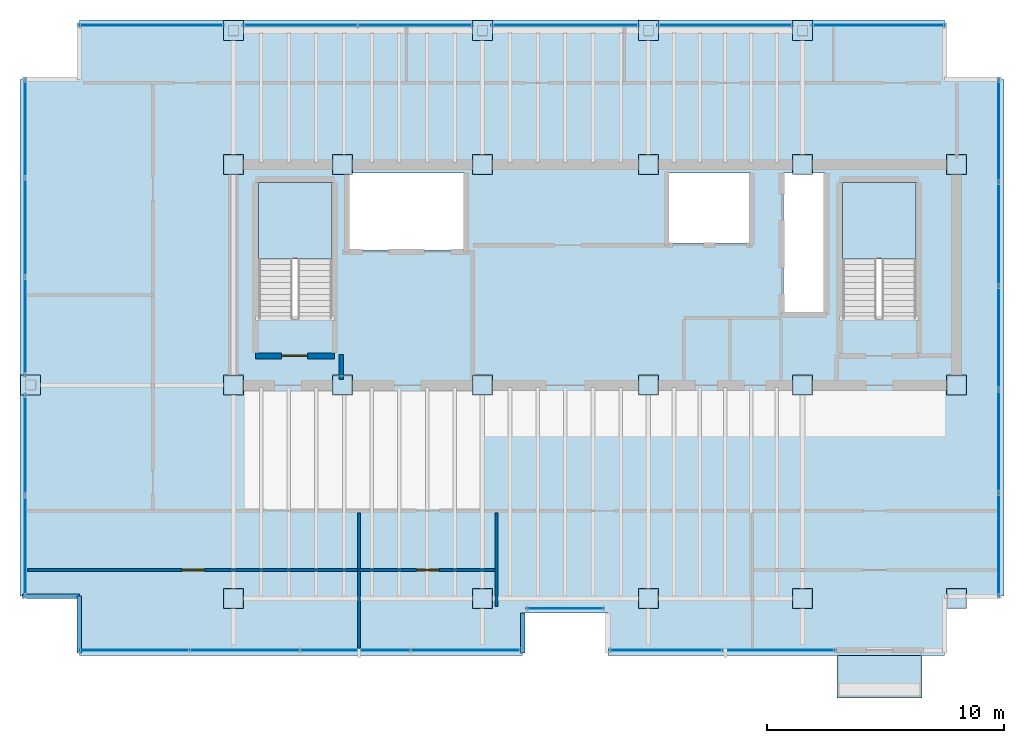
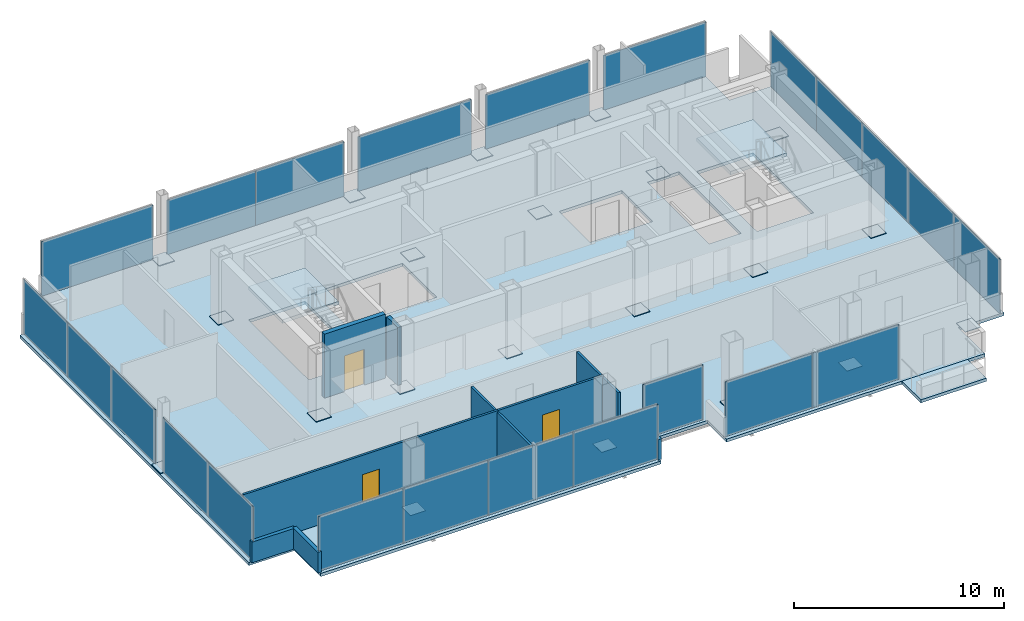
# One storey, part 14 of 17: 45 plates, 9 walls, 4 slabs, 3 doors, 8 openings, 13 elements without a shape of their own.
"""IFC4 building model written with IfcOpenShell, lengths in metres."""

from ifc_helpers import new_model, si_unit, direction, frame, frame_2d, origin, origin_2d, place, context, subcontext, project, spatial, polyline, rectangle, outline, extrude, material, layer, layer_set, type_object, element, fill, aggregate, save


model = new_model("IFC4")

# Units and contexts
model_context = context("Model", 3, precision=1e-05, world=origin(), true_north=direction((0.0, 1.0)))
body_context = subcontext(model_context, "Body", "Model", "MODEL_VIEW")
ifc_project = project(units=[si_unit("LENGTHUNIT", "METRE"), si_unit("AREAUNIT", "SQUARE_METRE"), si_unit("VOLUMEUNIT", "CUBIC_METRE"), si_unit("PLANEANGLEUNIT", "RADIAN"), si_unit("MASSUNIT", "GRAM", prefix="KILO")], contexts=[model_context])

# Site, building, storey
site_placement = place(None, origin())
site = spatial("IfcSite", under=ifc_project, at=site_placement, CompositionType="ELEMENT")
building_placement = place(site_placement, origin())
building = spatial("IfcBuilding", under=site, at=building_placement, Name="Noeulbin Bourse Tower", CompositionType="ELEMENT")
storey_placement = place(building_placement, frame((0.0, 0.0, 261.800048828125)))
storey = spatial("IfcBuildingStorey", under=building, at=storey_placement, Name="L65", CompositionType="ELEMENT", Elevation=261.800048828125)

# Curtain wall, plate
ifc_material_1 = material(Name="High-Selectivity Low-Iron Glazing", Category="glass")
curtain_wall_type = type_object("IfcCurtainWallType", Name="CW-SYS-4", PredefinedType="NOTDEFINED", material=ifc_material_1)
curtain_wall_1_placement = place(storey_placement, origin())
curtain_wall_1 = element("IfcCurtainWall", 1, at=curtain_wall_1_placement, inside=storey, type_object=curtain_wall_type, Name="Unitised Curtain Wall CW-L65-SREC", PredefinedType="NOTDEFINED")
ifc_layer_1 = layer(ifc_material_1, 0.035888671875)
ifc_layer_set_1 = layer_set([ifc_layer_1], Name="High-Selectivity Low-Iron Glazing")
plate_type_1 = type_object("IfcPlateType", Name="CW-SYS-4-PNL", PredefinedType="CURTAIN_PANEL", material=ifc_layer_set_1)
plate_1_placement = place(storey_placement, frame((27.5, 19.580078125, 0.0), z_axis=(0.0, 0.0, 1.0), x_axis=(1.0, 0.0, 0.0)))
plate_1 = element("IfcPlate", 2, at=plate_1_placement, type_object=plate_type_1, Name="Glazed Curtain Panel CW-L65-SREC-P00", PredefinedType="CURTAIN_PANEL", context=body_context, shape_type="SweptSolid", body=[
    extrude(rectangle(XDim=3.300048828125, YDim=0.035888671875, at=origin_2d()), origin(), (0.0, 0.0, 1.0), 3.179931640625),
])
aggregate(curtain_wall_1, [plate_1])

# Curtain wall, plates
curtain_wall_2_placement = place(storey_placement, origin())
curtain_wall_2 = element("IfcCurtainWall", 3, at=curtain_wall_2_placement, inside=storey, type_object=curtain_wall_type, Name="Unitised Curtain Wall CW-L65-S1", PredefinedType="NOTDEFINED")
plate_2_placement = place(storey_placement, frame((9.313720703125, 17.820068359375, 0.0), z_axis=(0.0, 0.0, 1.0), x_axis=(1.0, 0.0, 0.0)))
plate_2 = element("IfcPlate", 4, at=plate_2_placement, type_object=plate_type_1, Name="Glazed Curtain Panel CW-L65-S1-P00", PredefinedType="CURTAIN_PANEL", context=body_context, shape_type="SweptSolid", body=[
    extrude(rectangle(XDim=4.66748046875, YDim=0.035888671875, at=origin_2d()), origin(), (0.0, 0.0, 1.0), 3.179931640625),
])
plate_3_placement = place(storey_placement, frame((13.981201171875, 17.820068359375, 0.0), z_axis=(0.0, 0.0, 1.0), x_axis=(1.0, 0.0, 0.0)))
plate_3 = element("IfcPlate", 5, at=plate_3_placement, type_object=plate_type_1, Name="Glazed Curtain Panel CW-L65-S1-P01", PredefinedType="CURTAIN_PANEL", context=body_context, shape_type="SweptSolid", body=[
    extrude(rectangle(XDim=4.66748046875, YDim=0.035888671875, at=origin_2d()), origin(), (0.0, 0.0, 1.0), 3.179931640625),
])
plate_4_placement = place(storey_placement, frame((18.648681640625, 17.820068359375, 0.0), z_axis=(0.0, 0.0, 1.0), x_axis=(1.0, 0.0, 0.0)))
plate_4 = element("IfcPlate", 6, at=plate_4_placement, type_object=plate_type_1, Name="Glazed Curtain Panel CW-L65-S1-P02", PredefinedType="CURTAIN_PANEL", context=body_context, shape_type="SweptSolid", body=[
    extrude(rectangle(XDim=4.66748046875, YDim=0.035888671875, at=origin_2d()), origin(), (0.0, 0.0, 1.0), 3.179931640625),
])
plate_5_placement = place(storey_placement, frame((23.31640625, 17.820068359375, 0.0), z_axis=(0.0, 0.0, 1.0), x_axis=(1.0, 0.0, 0.0)))
plate_5 = element("IfcPlate", 7, at=plate_5_placement, type_object=plate_type_1, Name="Glazed Curtain Panel CW-L65-S1-P03", PredefinedType="CURTAIN_PANEL", context=body_context, shape_type="SweptSolid", body=[
    extrude(rectangle(XDim=4.66748046875, YDim=0.035888671875, at=origin_2d()), origin(), (0.0, 0.0, 1.0), 3.179931640625),
])
aggregate(curtain_wall_2, [plate_2, plate_3, plate_4, plate_5])

curtain_wall_3_placement = place(storey_placement, origin())
curtain_wall_3 = element("IfcCurtainWall", 8, at=curtain_wall_3_placement, inside=storey, type_object=curtain_wall_type, Name="Unitised Curtain Wall CW-L65-S2", PredefinedType="NOTDEFINED")
plate_6_placement = place(storey_placement, frame((31.737548828125, 17.820068359375, 0.0), z_axis=(0.0, 0.0, 1.0), x_axis=(1.0, 0.0, 0.0)))
plate_6 = element("IfcPlate", 9, at=plate_6_placement, type_object=plate_type_1, Name="Glazed Curtain Panel CW-L65-S2-P00", PredefinedType="CURTAIN_PANEL", context=body_context, shape_type="SweptSolid", body=[
    extrude(rectangle(XDim=4.77490234375, YDim=0.035888671875, at=origin_2d()), origin(), (0.0, 0.0, 1.0), 3.179931640625),
])
plate_7_placement = place(storey_placement, frame((36.512451171875, 17.820068359375, 0.0), z_axis=(0.0, 0.0, 1.0), x_axis=(1.0, 0.0, 0.0)))
plate_7 = element("IfcPlate", 10, at=plate_7_placement, type_object=plate_type_1, Name="Glazed Curtain Panel CW-L65-S2-P01", PredefinedType="CURTAIN_PANEL", context=body_context, shape_type="SweptSolid", body=[
    extrude(rectangle(XDim=4.77490234375, YDim=0.035888671875, at=origin_2d()), origin(), (0.0, 0.0, 1.0), 3.179931640625),
])
aggregate(curtain_wall_3, [plate_6, plate_7])

# Curtain wall, plate
curtain_wall_4_placement = place(storey_placement, origin())
curtain_wall_4 = element("IfcCurtainWall", 11, at=curtain_wall_4_placement, inside=storey, type_object=curtain_wall_type, Name="Unitised Curtain Wall CW-L65-N-S1", PredefinedType="NOTDEFINED")
plate_8_placement = place(storey_placement, frame((10.047607421875, 44.179931640625, 0.0), z_axis=(0.0, 0.0, 1.0), x_axis=(1.0, 0.0, 0.0)))
plate_8 = element("IfcPlate", 12, at=plate_8_placement, type_object=plate_type_1, Name="Glazed Curtain Panel CW-L65-N-S1-P00", PredefinedType="CURTAIN_PANEL", context=body_context, shape_type="SweptSolid", body=[
    extrude(rectangle(XDim=6.135009765625, YDim=0.035888671875, at=origin_2d()), origin(), (0.0, 0.0, 1.0), 3.179931640625),
])
aggregate(curtain_wall_4, [plate_8])

# Curtain wall, plates
curtain_wall_5_placement = place(storey_placement, origin())
curtain_wall_5 = element("IfcCurtainWall", 13, at=curtain_wall_5_placement, inside=storey, type_object=curtain_wall_type, Name="Unitised Curtain Wall CW-L65-N-S2", PredefinedType="NOTDEFINED")
plate_9_placement = place(storey_placement, frame((16.3173828125, 44.179931640625, 0.0), z_axis=(0.0, 0.0, 1.0), x_axis=(1.0, 0.0, 0.0)))
plate_9 = element("IfcPlate", 14, at=plate_9_placement, type_object=plate_type_1, Name="Glazed Curtain Panel CW-L65-N-S2-P00", PredefinedType="CURTAIN_PANEL", context=body_context, shape_type="SweptSolid", body=[
    extrude(rectangle(XDim=4.864990234375, YDim=0.035888671875, at=origin_2d()), origin(), (0.0, 0.0, 1.0), 3.179931640625),
])
plate_10_placement = place(storey_placement, frame((21.1826171875, 44.179931640625, 0.0), z_axis=(0.0, 0.0, 1.0), x_axis=(1.0, 0.0, 0.0)))
plate_10 = element("IfcPlate", 15, at=plate_10_placement, type_object=plate_type_1, Name="Glazed Curtain Panel CW-L65-N-S2-P01", PredefinedType="CURTAIN_PANEL", context=body_context, shape_type="SweptSolid", body=[
    extrude(rectangle(XDim=4.864990234375, YDim=0.035888671875, at=origin_2d()), origin(), (0.0, 0.0, 1.0), 3.179931640625),
])
aggregate(curtain_wall_5, [plate_9, plate_10])

# Curtain wall, plate
curtain_wall_6_placement = place(storey_placement, origin())
curtain_wall_6 = element("IfcCurtainWall", 16, at=curtain_wall_6_placement, inside=storey, type_object=curtain_wall_type, Name="Unitised Curtain Wall CW-L65-N-S3", PredefinedType="NOTDEFINED")
plate_11_placement = place(storey_placement, frame((27.5, 44.179931640625, 0.0), z_axis=(0.0, 0.0, 1.0), x_axis=(1.0, 0.0, 0.0)))
plate_11 = element("IfcPlate", 17, at=plate_11_placement, type_object=plate_type_1, Name="Glazed Curtain Panel CW-L65-N-S3-P00", PredefinedType="CURTAIN_PANEL", context=body_context, shape_type="SweptSolid", body=[
    extrude(rectangle(XDim=6.22998046875, YDim=0.035888671875, at=origin_2d()), origin(), (0.0, 0.0, 1.0), 3.179931640625),
])
aggregate(curtain_wall_6, [plate_11])

curtain_wall_7_placement = place(storey_placement, origin())
curtain_wall_7 = element("IfcCurtainWall", 18, at=curtain_wall_7_placement, inside=storey, type_object=curtain_wall_type, Name="Unitised Curtain Wall CW-L65-N-S4", PredefinedType="NOTDEFINED")
plate_12_placement = place(storey_placement, frame((34.25, 44.179931640625, 0.0), z_axis=(0.0, 0.0, 1.0), x_axis=(1.0, 0.0, 0.0)))
plate_12 = element("IfcPlate", 19, at=plate_12_placement, type_object=plate_type_1, Name="Glazed Curtain Panel CW-L65-N-S4-P00", PredefinedType="CURTAIN_PANEL", context=body_context, shape_type="SweptSolid", body=[
    extrude(rectangle(XDim=5.72998046875, YDim=0.035888671875, at=origin_2d()), origin(), (0.0, 0.0, 1.0), 3.179931640625),
])
aggregate(curtain_wall_7, [plate_12])

curtain_wall_8_placement = place(storey_placement, origin())
curtain_wall_8 = element("IfcCurtainWall", 20, at=curtain_wall_8_placement, inside=storey, type_object=curtain_wall_type, Name="Unitised Curtain Wall CW-L65-N-S5", PredefinedType="NOTDEFINED")
plate_13_placement = place(storey_placement, frame((40.702392578125, 44.179931640625, 0.0), z_axis=(0.0, 0.0, 1.0), x_axis=(1.0, 0.0, 0.0)))
plate_13 = element("IfcPlate", 21, at=plate_13_placement, type_object=plate_type_1, Name="Glazed Curtain Panel CW-L65-N-S5-P00", PredefinedType="CURTAIN_PANEL", context=body_context, shape_type="SweptSolid", body=[
    extrude(rectangle(XDim=5.635009765625, YDim=0.035888671875, at=origin_2d()), origin(), (0.0, 0.0, 1.0), 3.179931640625),
])
aggregate(curtain_wall_8, [plate_13])

# Curtain wall, plates
curtain_wall_9_placement = place(storey_placement, origin())
curtain_wall_9 = element("IfcCurtainWall", 22, at=curtain_wall_9_placement, inside=storey, type_object=curtain_wall_type, Name="Unitised Curtain Wall CW-L65-W-S1", PredefinedType="NOTDEFINED")
plate_14_placement = place(storey_placement, frame((4.719970703125, 22.213623046875, 0.0), z_axis=(0.0, 0.0, 1.0), x_axis=(0.0, 1.0, 0.0)))
plate_14 = element("IfcPlate", 23, at=plate_14_placement, type_object=plate_type_1, Name="Glazed Curtain Panel CW-L65-W-S1-P00", PredefinedType="CURTAIN_PANEL", context=body_context, shape_type="SweptSolid", body=[
    extrude(rectangle(XDim=4.267578125, YDim=0.035888671875, at=origin_2d()), origin(), (0.0, 0.0, 1.0), 3.179931640625),
])
plate_15_placement = place(storey_placement, frame((4.719970703125, 26.481201171875, 0.0), z_axis=(0.0, 0.0, 1.0), x_axis=(0.0, 1.0, 0.0)))
plate_15 = element("IfcPlate", 24, at=plate_15_placement, type_object=plate_type_1, Name="Glazed Curtain Panel CW-L65-W-S1-P01", PredefinedType="CURTAIN_PANEL", context=body_context, shape_type="SweptSolid", body=[
    extrude(rectangle(XDim=4.267578125, YDim=0.035888671875, at=origin_2d()), origin(), (0.0, 0.0, 1.0), 3.179931640625),
])
aggregate(curtain_wall_9, [plate_14, plate_15])

curtain_wall_10_placement = place(storey_placement, origin())
curtain_wall_10 = element("IfcCurtainWall", 25, at=curtain_wall_10_placement, inside=storey, type_object=curtain_wall_type, Name="Unitised Curtain Wall CW-L65-W-S2", PredefinedType="NOTDEFINED")
plate_16_placement = place(storey_placement, frame((4.719970703125, 31.47412109375, 0.0), z_axis=(0.0, 0.0, 1.0), x_axis=(0.0, 1.0, 0.0)))
plate_16 = element("IfcPlate", 26, at=plate_16_placement, type_object=plate_type_1, Name="Glazed Curtain Panel CW-L65-W-S2-P00", PredefinedType="CURTAIN_PANEL", context=body_context, shape_type="SweptSolid", body=[
    extrude(rectangle(XDim=4.17822265625, YDim=0.035888671875, at=origin_2d()), origin(), (0.0, 0.0, 1.0), 3.179931640625),
])
plate_17_placement = place(storey_placement, frame((4.719970703125, 35.652587890625, 0.0), z_axis=(0.0, 0.0, 1.0), x_axis=(0.0, 1.0, 0.0)))
plate_17 = element("IfcPlate", 27, at=plate_17_placement, type_object=plate_type_1, Name="Glazed Curtain Panel CW-L65-W-S2-P01", PredefinedType="CURTAIN_PANEL", context=body_context, shape_type="SweptSolid", body=[
    extrude(rectangle(XDim=4.17822265625, YDim=0.035888671875, at=origin_2d()), origin(), (0.0, 0.0, 1.0), 3.179931640625),
])
plate_18_placement = place(storey_placement, frame((4.719970703125, 39.830810546875, 0.0), z_axis=(0.0, 0.0, 1.0), x_axis=(0.0, 1.0, 0.0)))
plate_18 = element("IfcPlate", 28, at=plate_18_placement, type_object=plate_type_1, Name="Glazed Curtain Panel CW-L65-W-S2-P02", PredefinedType="CURTAIN_PANEL", context=body_context, shape_type="SweptSolid", body=[
    extrude(rectangle(XDim=4.17822265625, YDim=0.035888671875, at=origin_2d()), origin(), (0.0, 0.0, 1.0), 3.179931640625),
])
aggregate(curtain_wall_10, [plate_16, plate_17, plate_18])

curtain_wall_11_placement = place(storey_placement, origin())
curtain_wall_11 = element("IfcCurtainWall", 29, at=curtain_wall_11_placement, inside=storey, type_object=curtain_wall_type, Name="Unitised Curtain Wall CW-L65-E", PredefinedType="NOTDEFINED")
plate_19_placement = place(storey_placement, frame((45.780029296875, 22.263916015625, 0.0), z_axis=(0.0, 0.0, 1.0), x_axis=(0.0, 1.0, 0.0)))
plate_19 = element("IfcPlate", 30, at=plate_19_placement, type_object=plate_type_1, Name="Glazed Curtain Panel CW-L65-E-P00", PredefinedType="CURTAIN_PANEL", context=body_context, shape_type="SweptSolid", body=[
    extrude(rectangle(XDim=4.367919921875, YDim=0.035888671875, at=origin_2d()), origin(), (0.0, 0.0, 1.0), 3.179931640625),
])
plate_20_placement = place(storey_placement, frame((45.780029296875, 26.632080078125, 0.0), z_axis=(0.0, 0.0, 1.0), x_axis=(0.0, 1.0, 0.0)))
plate_20 = element("IfcPlate", 31, at=plate_20_placement, type_object=plate_type_1, Name="Glazed Curtain Panel CW-L65-E-P01", PredefinedType="CURTAIN_PANEL", context=body_context, shape_type="SweptSolid", body=[
    extrude(rectangle(XDim=4.367919921875, YDim=0.035888671875, at=origin_2d()), origin(), (0.0, 0.0, 1.0), 3.179931640625),
])
plate_21_placement = place(storey_placement, frame((45.780029296875, 31.0, 0.0), z_axis=(0.0, 0.0, 1.0), x_axis=(0.0, 1.0, 0.0)))
plate_21 = element("IfcPlate", 32, at=plate_21_placement, type_object=plate_type_1, Name="Glazed Curtain Panel CW-L65-E-P02", PredefinedType="CURTAIN_PANEL", context=body_context, shape_type="SweptSolid", body=[
    extrude(rectangle(XDim=4.367919921875, YDim=0.035888671875, at=origin_2d()), origin(), (0.0, 0.0, 1.0), 3.179931640625),
])
plate_22_placement = place(storey_placement, frame((45.780029296875, 35.367919921875, 0.0), z_axis=(0.0, 0.0, 1.0), x_axis=(0.0, 1.0, 0.0)))
plate_22 = element("IfcPlate", 33, at=plate_22_placement, type_object=plate_type_1, Name="Glazed Curtain Panel CW-L65-E-P03", PredefinedType="CURTAIN_PANEL", context=body_context, shape_type="SweptSolid", body=[
    extrude(rectangle(XDim=4.367919921875, YDim=0.035888671875, at=origin_2d()), origin(), (0.0, 0.0, 1.0), 3.179931640625),
])
plate_23_placement = place(storey_placement, frame((45.780029296875, 39.736083984375, 0.0), z_axis=(0.0, 0.0, 1.0), x_axis=(0.0, 1.0, 0.0)))
plate_23 = element("IfcPlate", 34, at=plate_23_placement, type_object=plate_type_1, Name="Glazed Curtain Panel CW-L65-E-P04", PredefinedType="CURTAIN_PANEL", context=body_context, shape_type="SweptSolid", body=[
    extrude(rectangle(XDim=4.367919921875, YDim=0.035888671875, at=origin_2d()), origin(), (0.0, 0.0, 1.0), 3.179931640625),
])
aggregate(curtain_wall_11, [plate_19, plate_20, plate_21, plate_22, plate_23])

# Plates
ifc_material_2 = material(Name="Steel S355", Category="steel")
ifc_layer_2 = layer(ifc_material_2, 0.030029296875)
ifc_layer_set_2 = layer_set([ifc_layer_2], Name="Steel S355")
plate_type_2 = type_object("IfcPlateType", Name="PLT-BN1", PredefinedType="USERDEFINED", material=ifc_layer_set_2)
for number, where, z_axis, x_axis, name in (
    (35, (13.5, 29.0, 0.0048828125), (0.0, 0.0, 1.0), (1.0, 0.0, 0.0), "Mega-Column Splice Plate BN1-L65-01"),
    (36, (13.5, 38.300048828125, 0.0048828125), (0.0, 0.0, 1.0), (1.0, 0.0, 0.0), "Mega-Column Splice Plate BN1-L65-02"),
    (37, (18.10009765625, 29.0, 0.0048828125), (0.0, 0.0, 1.0), (1.0, 0.0, 0.0), "Mega-Column Splice Plate BN1-L65-03"),
    (38, (18.10009765625, 38.300048828125, 0.0048828125), (0.0, 0.0, 1.0), (1.0, 0.0, 0.0), "Mega-Column Splice Plate BN1-L65-04"),
    (39, (24.0, 29.0, 0.0048828125), (0.0, 0.0, 1.0), (1.0, 0.0, 0.0), "Mega-Column Splice Plate BN1-L65-05"),
    (40, (24.0, 38.300048828125, 0.0048828125), (0.0, 0.0, 1.0), (1.0, 0.0, 0.0), "Mega-Column Splice Plate BN1-L65-06"),
    (41, (31.0, 29.0, 0.0048828125), (0.0, 0.0, 1.0), (1.0, 0.0, 0.0), "Mega-Column Splice Plate BN1-L65-07"),
    (42, (31.0, 38.300048828125, 0.0048828125), (0.0, 0.0, 1.0), (1.0, 0.0, 0.0), "Mega-Column Splice Plate BN1-L65-08"),
    (43, (37.5, 29.0, 0.0048828125), (0.0, 0.0, 1.0), (1.0, 0.0, 0.0), "Mega-Column Splice Plate BN1-L65-09"),
    (44, (37.5, 38.300048828125, 0.0048828125), (0.0, 0.0, 1.0), (1.0, 0.0, 0.0), "Mega-Column Splice Plate BN1-L65-10"),
    (45, (44.0, 29.0, 0.0048828125), (0.0, 0.0, 1.0), (1.0, 0.0, 0.0), "Mega-Column Splice Plate BN1-L65-11"),
    (46, (44.0, 38.300048828125, 0.0048828125), (0.0, 0.0, 1.0), (1.0, 0.0, 0.0), "Mega-Column Splice Plate BN1-L65-12"),
    (47, (13.5, 20.0, 0.0048828125), (0.0, 0.0, 1.0), (1.0, 0.0, 0.0), "Mega-Column Splice Plate BN1-L65-13"),
    (48, (24.0, 20.0, 0.0048828125), (0.0, 0.0, 1.0), (1.0, 0.0, 0.0), "Mega-Column Splice Plate BN1-L65-14"),
    (49, (31.0, 20.0, 0.0048828125), (0.0, 0.0, 1.0), (1.0, 0.0, 0.0), "Mega-Column Splice Plate BN1-L65-15"),
    (50, (37.5, 20.0, 0.0048828125), (0.0, 0.0, 1.0), (1.0, 0.0, 0.0), "Mega-Column Splice Plate BN1-L65-16"),
    (51, (44.0, 20.0, 0.0048828125), (0.0, 0.0, 1.0), (1.0, 0.0, 0.0), "Mega-Column Splice Plate BN1-L65-17"),
    (52, (4.949951171875, 29.0, 0.0048828125), (0.0, 0.0, 1.0), (1.0, 0.0, 0.0), "Perimeter Column Splice Plate BN1-L65-01"),
    (53, (13.5, 43.949951171875, 0.0048828125), (0.0, 0.0, 1.0), (1.0, 0.0, 0.0), "Perimeter Column Splice Plate BN1-L65-02"),
    (54, (24.0, 43.949951171875, 0.0048828125), (0.0, 0.0, 1.0), (1.0, 0.0, 0.0), "Perimeter Column Splice Plate BN1-L65-03"),
    (55, (31.0, 43.949951171875, 0.0048828125), (0.0, 0.0, 1.0), (1.0, 0.0, 0.0), "Perimeter Column Splice Plate BN1-L65-04"),
    (56, (37.5, 43.949951171875, 0.0048828125), (0.0, 0.0, 1.0), (1.0, 0.0, 0.0), "Perimeter Column Splice Plate BN1-L65-05"),
):
    element("IfcPlate", number, at=place(storey_placement, frame(where, z_axis=z_axis, x_axis=x_axis)), inside=storey, type_object=plate_type_2, Name=name, ObjectType="SPLICE PLATE", PredefinedType="USERDEFINED", context=body_context, shape_type="SweptSolid", body=[
        extrude(rectangle(XDim=0.85009765625, YDim=0.85009765625, at=origin_2d()), origin(), (0.0, 0.0, 1.0), 0.030029296875),
    ])

# Stair, slab
ifc_material_3 = material(Name="Concrete C40/50", Category="concrete")
stair_type = type_object("IfcStairType", Name="STR-CORE-1560", PredefinedType="HALF_TURN_STAIR", material=ifc_material_3)
stair_1_placement = place(storey_placement, origin())
stair_1 = element("IfcStair", 57, at=stair_1_placement, inside=storey, type_object=stair_type, Name="L65 ST-1", PredefinedType="HALF_TURN_STAIR")
ifc_layer_3 = layer(ifc_material_3, 0.199951171875)
ifc_layer_set_3 = layer_set([ifc_layer_3], Name="Concrete C40/50")
slab_type_1 = type_object("IfcSlabType", Name="SLB-LND-200", PredefinedType="LANDING", material=ifc_layer_set_3)
slab_1_placement = place(storey_placement, frame((0.0, 0.0, 1.75)))
slab_1 = element("IfcSlab", 58, at=slab_1_placement, type_object=slab_type_1, Name="ST-1 landing 1", PredefinedType="LANDING", context=body_context, shape_type="SweptSolid", body=[
    extrude(outline(polyline([(17.64990234375, 34.330078125), (17.64990234375, 37.5439453125), (14.550048828125, 37.5439453125), (14.550048828125, 34.330078125), (17.64990234375, 34.330078125)])), origin(), (0.0, 0.0, 1.0), 0.199951171875),
])
aggregate(stair_1, [slab_1])

stair_2_placement = place(storey_placement, origin())
stair_2 = element("IfcStair", 59, at=stair_2_placement, inside=storey, type_object=stair_type, Name="L65 ST-2", PredefinedType="HALF_TURN_STAIR")
slab_2_placement = place(storey_placement, frame((0.0, 0.0, 1.75)))
slab_2 = element("IfcSlab", 60, at=slab_2_placement, type_object=slab_type_1, Name="ST-2 landing 1", PredefinedType="LANDING", context=body_context, shape_type="SweptSolid", body=[
    extrude(outline(polyline([(42.280029296875, 34.330078125), (42.280029296875, 37.5439453125), (39.179931640625, 37.5439453125), (39.179931640625, 34.330078125), (42.280029296875, 34.330078125)])), origin(), (0.0, 0.0, 1.0), 0.199951171875),
])
aggregate(stair_2, [slab_2])

# Slab, openings
ifc_layer_4 = layer(ifc_material_3, 0.179931640625)
ifc_layer_set_4 = layer_set([ifc_layer_4], Name="Concrete C40/50")
slab_type_2 = type_object("IfcSlabType", Name="SLB-TYP-180", PredefinedType="FLOOR", material=ifc_layer_set_4)
slab_3_placement = place(storey_placement, frame((0.0, 0.0, -0.179931640625)))
slab_3 = element("IfcSlab", 61, at=slab_3_placement, inside=storey, type_object=slab_type_2, Name="Tower Structural Floor Slab L65", PredefinedType="FLOOR", context=body_context, shape_type="SweptSolid", body=[
    extrude(outline(polyline([(7.0, 17.60009765625), (25.699951171875, 17.60009765625), (25.699951171875, 19.39990234375), (29.300048828125, 19.39990234375), (29.300048828125, 17.60009765625), (43.5, 17.60009765625), (43.5, 20.10009765625), (46.0, 20.10009765625), (46.0, 41.89990234375), (43.5, 41.89990234375), (43.5, 44.39990234375), (7.0, 44.39990234375), (7.0, 41.89990234375), (4.5, 41.89990234375), (4.5, 20.10009765625), (7.0, 20.10009765625), (7.0, 17.60009765625)]), holes=[polyline([(17.64990234375, 31.81005859375), (17.64990234375, 37.5439453125), (14.550048828125, 37.5439453125), (14.550048828125, 31.81005859375), (17.64990234375, 31.81005859375)]), polyline([(42.280029296875, 31.81005859375), (42.280029296875, 37.5439453125), (39.179931640625, 37.5439453125), (39.179931640625, 31.81005859375), (42.280029296875, 31.81005859375)]), polyline([(18.35009765625, 34.699951171875), (23.25, 34.699951171875), (23.25, 37.949951171875), (18.35009765625, 37.949951171875), (18.35009765625, 34.699951171875)]), polyline([(36.699951171875, 32.050048828125), (38.449951171875, 32.050048828125), (38.449951171875, 37.949951171875), (36.699951171875, 37.949951171875), (36.699951171875, 32.050048828125)]), polyline([(31.85009765625, 35.0), (35.300048828125, 35.0), (35.300048828125, 37.949951171875), (31.85009765625, 37.949951171875), (31.85009765625, 35.0)])]), origin(), (0.0, 0.0, 1.0), 0.179931640625),
])
opening_1_placement = place(slab_3_placement, frame((0.0, 0.0, -0.010009765625)))
element("IfcOpeningElement", 62, at=opening_1_placement, cuts=slab_3, Name="Slab Shaft Opening SLB-L65-TWR-1", PredefinedType="OPENING", context=body_context, shape_type="SweptSolid", body=[
    extrude(outline(polyline([(17.64990234375, 31.81005859375), (17.64990234375, 37.5439453125), (14.550048828125, 37.5439453125), (14.550048828125, 31.81005859375), (17.64990234375, 31.81005859375)])), origin(), (0.0, 0.0, 1.0), 0.199951171875),
])
opening_2_placement = place(slab_3_placement, frame((0.0, 0.0, -0.010009765625)))
element("IfcOpeningElement", 63, at=opening_2_placement, cuts=slab_3, Name="Slab Shaft Opening SLB-L65-TWR-2", PredefinedType="OPENING", context=body_context, shape_type="SweptSolid", body=[
    extrude(outline(polyline([(42.280029296875, 31.81005859375), (42.280029296875, 37.5439453125), (39.179931640625, 37.5439453125), (39.179931640625, 31.81005859375), (42.280029296875, 31.81005859375)])), origin(), (0.0, 0.0, 1.0), 0.199951171875),
])
opening_3_placement = place(slab_3_placement, frame((0.0, 0.0, -0.010009765625)))
element("IfcOpeningElement", 64, at=opening_3_placement, cuts=slab_3, Name="Slab Shaft Opening SLB-L65-TWR-3", PredefinedType="OPENING", context=body_context, shape_type="SweptSolid", body=[
    extrude(outline(polyline([(18.35009765625, 34.699951171875), (23.25, 34.699951171875), (23.25, 37.949951171875), (18.35009765625, 37.949951171875), (18.35009765625, 34.699951171875)])), origin(), (0.0, 0.0, 1.0), 0.199951171875),
])
opening_4_placement = place(slab_3_placement, frame((0.0, 0.0, -0.010009765625)))
element("IfcOpeningElement", 65, at=opening_4_placement, cuts=slab_3, Name="Slab Shaft Opening SLB-L65-TWR-4", PredefinedType="OPENING", context=body_context, shape_type="SweptSolid", body=[
    extrude(outline(polyline([(36.699951171875, 32.050048828125), (38.449951171875, 32.050048828125), (38.449951171875, 37.949951171875), (36.699951171875, 37.949951171875), (36.699951171875, 32.050048828125)])), origin(), (0.0, 0.0, 1.0), 0.199951171875),
])
opening_5_placement = place(slab_3_placement, frame((0.0, 0.0, -0.010009765625)))
element("IfcOpeningElement", 66, at=opening_5_placement, cuts=slab_3, Name="Slab Shaft Opening SLB-L65-TWR-5", PredefinedType="OPENING", context=body_context, shape_type="SweptSolid", body=[
    extrude(outline(polyline([(31.85009765625, 35.0), (35.300048828125, 35.0), (35.300048828125, 37.949951171875), (31.85009765625, 37.949951171875), (31.85009765625, 35.0)])), origin(), (0.0, 0.0, 1.0), 0.199951171875),
])

# Slab
slab_4_placement = place(storey_placement, frame((0.0, 0.0, -0.179931640625)))
element("IfcSlab", 67, at=slab_4_placement, inside=storey, type_object=slab_type_2, Name="Cantilevered Tree-Balcony Slab L65", PredefinedType="FLOOR", context=body_context, shape_type="SweptSolid", body=[
    extrude(outline(polyline([(38.949951171875, 15.800048828125), (42.550048828125, 15.800048828125), (42.550048828125, 17.60009765625), (38.949951171875, 17.60009765625), (38.949951171875, 15.800048828125)])), origin(), (0.0, 0.0, 1.0), 0.179931640625),
])

# Walls
ifc_layer_5 = layer(ifc_material_3, 0.199951171875)
ifc_layer_set_5 = layer_set([ifc_layer_5], Name="Concrete C40/50")
wall_type_1 = type_object("IfcWallType", Name="WAL-FIRE-200", PredefinedType="STANDARD", material=ifc_layer_set_5)
wall_1_placement = place(storey_placement, frame((18.050048828125, 29.235107421875, 0.0), z_axis=(0.0, 0.0, 1.0), x_axis=(0.0, 1.0, 0.0)))
element("IfcWall", 68, at=wall_1_placement, inside=storey, type_object=wall_type_1, Name="Interior Partition Wall L65-10", PredefinedType="STANDARD", context=body_context, shape_type="SweptSolid", body=[
    extrude(rectangle(XDim=1.06494140625, YDim=0.199951171875, at=frame_2d((0.532470703125, 0.0))), origin(), (0.0, 0.0, 1.0), 3.39990234375),
])
ifc_layer_6 = layer(ifc_material_3, 0.199951171875)
ifc_layer_set_6 = layer_set([ifc_layer_6], Name="Concrete C40/50")
wall_type_2 = type_object("IfcWallType", Name="WAL-PAR-200", PredefinedType="PARAPET", material=ifc_layer_set_6)
wall_2_placement = place(storey_placement, frame((4.60009765625, 20.10009765625, 0.0), z_axis=(0.0, 0.0, 1.0), x_axis=(1.0, 0.0, 0.0)))
element("IfcWall", 69, at=wall_2_placement, inside=storey, type_object=wall_type_2, Name="Corner Notch Parapet L65-SW1", PredefinedType="PARAPET", context=body_context, shape_type="SweptSolid", body=[
    extrude(rectangle(XDim=2.39990234375, YDim=0.199951171875, at=frame_2d((1.199951171875, 0.0))), origin(), (0.0, 0.0, 1.0), 1.199951171875),
])
wall_3_placement = place(storey_placement, frame((7.0, 20.10009765625, 0.0), z_axis=(0.0, 0.0, 1.0), x_axis=(0.0, -1.0, 0.0)))
element("IfcWall", 70, at=wall_3_placement, inside=storey, type_object=wall_type_2, Name="Corner Notch Parapet L65-SW2", PredefinedType="PARAPET", context=body_context, shape_type="SweptSolid", body=[
    extrude(rectangle(XDim=2.400146484375, YDim=0.199951171875, at=frame_2d((1.2001953125, 0.0))), origin(), (0.0, 0.0, 1.0), 1.199951171875),
])
wall_4_placement = place(storey_placement, frame((25.699951171875, 17.699951171875, 0.0), z_axis=(0.0, 0.0, 1.0), x_axis=(0.0, 1.0, 0.0)))
element("IfcWall", 71, at=wall_4_placement, inside=storey, type_object=wall_type_2, Name="Sky-Garden Recess Parapet L65-W", PredefinedType="PARAPET", context=body_context, shape_type="SweptSolid", body=[
    extrude(rectangle(XDim=1.699951171875, YDim=0.199951171875, at=frame_2d((0.85009765625, 0.0))), origin(), (0.0, 0.0, 1.0), 1.199951171875),
])

# Wall, opening, door
ifc_material_4 = material(Name="Steel Stud Gypsum Partition", Category="steel")
ifc_layer_7 = layer(ifc_material_4, 0.1201171875)
ifc_layer_set_7 = layer_set([ifc_layer_7], Name="Steel Stud Gypsum Partition")
wall_type_3 = type_object("IfcWallType", Name="WAL-PRT-120", PredefinedType="PARTITIONING", material=ifc_layer_set_7)
wall_5_placement = place(storey_placement, frame((4.81005859375, 21.199951171875, 0.0), z_axis=(0.0, 0.0, 1.0), x_axis=(1.0, 0.0, 0.0)))
wall_5 = element("IfcWall", 72, at=wall_5_placement, inside=storey, type_object=wall_type_3, Name="Interior Partition Wall L65-05", PredefinedType="PARTITIONING", context=body_context, shape_type="SweptSolid", body=[
    extrude(rectangle(XDim=13.989990234375, YDim=0.1201171875, at=frame_2d((6.9951171875, 0.0))), origin(), (0.0, 0.0, 1.0), 3.199951171875),
])
opening_6_placement = place(wall_5_placement, frame((6.52001953125, 0.0, 0.0)))
opening_6 = element("IfcOpeningElement", 73, at=opening_6_placement, cuts=wall_5, Name="Opening ID-09", PredefinedType="OPENING", context=body_context, shape_type="SweptSolid", body=[
    extrude(rectangle(XDim=0.949951171875, YDim=2.080078125, at=frame_2d((0.47509765625, 1.0400390625))), frame((0.0, 0.070068359375, 0.0), z_axis=(0.0, -1.0, 0.0), x_axis=(1.0, 0.0, 0.0)), (0.0, 0.0, 1.0), 0.14013671875),
])
ifc_material_5 = material(Name="Acoustic Solid-Core Timber", Category="wood")
door_type_1 = type_object("IfcDoorType", Name="DR-SINGLE-950", OperationType="SINGLE_SWING_LEFT", PredefinedType="DOOR", material=ifc_material_5)
door_1_placement = place(opening_6_placement, origin())
door_1 = element("IfcDoor", 74, at=door_1_placement, inside=storey, type_object=door_type_1, Name="Interior Door L65-08", OperationType="SINGLE_SWING_LEFT", OverallHeight=2.080078125, OverallWidth=0.949951171875, PredefinedType="DOOR", context=body_context, shape_type="SweptSolid", body=[
    extrude(rectangle(XDim=0.949951171875, YDim=2.080078125, at=frame_2d((0.47509765625, 1.0400390625))), frame((0.0, 0.02490234375, 0.0), z_axis=(0.0, -1.0, 0.0), x_axis=(1.0, 0.0, 0.0)), (0.0, 0.0, 1.0), 0.050048828125),
])
fill(opening_6, door_1)

wall_6_placement = place(storey_placement, frame((18.800048828125, 21.199951171875, 0.0), z_axis=(0.0, 0.0, 1.0), x_axis=(1.0, 0.0, 0.0)))
wall_6 = element("IfcWall", 75, at=wall_6_placement, inside=storey, type_object=wall_type_3, Name="Interior Partition Wall L65-06", PredefinedType="PARTITIONING", context=body_context, shape_type="SweptSolid", body=[
    extrude(rectangle(XDim=5.800048828125, YDim=0.1201171875, at=frame_2d((2.89990234375, 0.0))), origin(), (0.0, 0.0, 1.0), 3.199951171875),
])
opening_7_placement = place(wall_6_placement, frame((2.425048828125, 0.0, 0.0)))
opening_7 = element("IfcOpeningElement", 76, at=opening_7_placement, cuts=wall_6, Name="Opening ID-09", PredefinedType="OPENING", context=body_context, shape_type="SweptSolid", body=[
    extrude(rectangle(XDim=0.949951171875, YDim=2.080078125, at=frame_2d((0.47509765625, 1.0400390625))), frame((0.0, 0.070068359375, 0.0), z_axis=(0.0, -1.0, 0.0), x_axis=(1.0, 0.0, 0.0)), (0.0, 0.0, 1.0), 0.14013671875),
])
door_2_placement = place(opening_7_placement, origin())
door_2 = element("IfcDoor", 77, at=door_2_placement, inside=storey, type_object=door_type_1, Name="Interior Door L65-10", OperationType="SINGLE_SWING_LEFT", OverallHeight=2.080078125, OverallWidth=0.949951171875, PredefinedType="DOOR", context=body_context, shape_type="SweptSolid", body=[
    extrude(rectangle(XDim=0.949951171875, YDim=2.080078125, at=frame_2d((0.47509765625, 1.0400390625))), frame((0.0, 0.02490234375, 0.0), z_axis=(0.0, -1.0, 0.0), x_axis=(1.0, 0.0, 0.0)), (0.0, 0.0, 1.0), 0.050048828125),
])
fill(opening_7, door_2)

# Walls
wall_7_placement = place(storey_placement, frame((18.800048828125, 17.909912109375, 0.0), z_axis=(0.0, 0.0, 1.0), x_axis=(0.0, 1.0, 0.0)))
element("IfcWall", 78, at=wall_7_placement, inside=storey, type_object=wall_type_3, Name="Interior Partition Wall L65-17", PredefinedType="PARTITIONING", context=body_context, shape_type="SweptSolid", body=[
    extrude(rectangle(XDim=5.705078125, YDim=0.1201171875, at=frame_2d((2.8525390625, 0.0))), origin(), (0.0, 0.0, 1.0), 3.099853515625),
])
wall_8_placement = place(storey_placement, frame((24.60009765625, 19.669921875, 0.0), z_axis=(0.0, 0.0, 1.0), x_axis=(0.0, 1.0, 0.0)))
element("IfcWall", 79, at=wall_8_placement, inside=storey, type_object=wall_type_3, Name="Interior Partition Wall L65-18", PredefinedType="PARTITIONING", context=body_context, shape_type="SweptSolid", body=[
    extrude(rectangle(XDim=3.945068359375, YDim=0.1201171875, at=frame_2d((1.97265625, 0.0))), origin(), (0.0, 0.0, 1.0), 3.099853515625),
])

# Wall, opening, door
ifc_layer_8 = layer(ifc_material_3, 0.25)
ifc_layer_set_8 = layer_set([ifc_layer_8], Name="Concrete C40/50")
wall_type_4 = type_object("IfcWallType", Name="WAL-SHFT-250", PredefinedType="STANDARD", material=ifc_layer_set_8)
wall_9_placement = place(storey_placement, frame((14.429931640625, 30.235107421875, 0.0), z_axis=(0.0, 0.0, 1.0), x_axis=(1.0, 0.0, 0.0)))
wall_9 = element("IfcWall", 80, at=wall_9_placement, inside=storey, type_object=wall_type_4, Name="Stair ST-1 South Shaft Wall L65", PredefinedType="STANDARD", context=body_context, shape_type="SweptSolid", body=[
    extrude(rectangle(XDim=3.340087890625, YDim=0.25, at=frame_2d((1.669921875, 0.0))), origin(), (0.0, 0.0, 1.0), 3.719970703125),
])
opening_8_placement = place(wall_9_placement, frame((1.10009765625, 0.0, 0.0)))
opening_8 = element("IfcOpeningElement", 81, at=opening_8_placement, cuts=wall_9, Name="Opening FD-11", PredefinedType="OPENING", context=body_context, shape_type="SweptSolid", body=[
    extrude(rectangle(XDim=1.10009765625, YDim=2.080078125, at=frame_2d((0.550048828125, 1.0400390625))), frame((0.0, 0.135009765625, 0.0), z_axis=(0.0, -1.0, 0.0), x_axis=(1.0, 0.0, 0.0)), (0.0, 0.0, 1.0), 0.27001953125),
])
ifc_material_6 = material(Name="Fire-Rated Insulated Steel", Category="steel")
door_type_2 = type_object("IfcDoorType", Name="DR-FD60-1100", OperationType="SINGLE_SWING_LEFT", PredefinedType="DOOR", material=ifc_material_6)
door_3_placement = place(opening_8_placement, origin())
door_3 = element("IfcDoor", 82, at=door_3_placement, inside=storey, type_object=door_type_2, Name="Protected Stair Entry Door ST1-L65", OperationType="SINGLE_SWING_RIGHT", OverallHeight=2.080078125, OverallWidth=1.10009765625, PredefinedType="DOOR", context=body_context, shape_type="SweptSolid", body=[
    extrude(rectangle(XDim=1.10009765625, YDim=2.080078125, at=frame_2d((0.550048828125, 1.0400390625))), frame((0.0, 0.02490234375, 0.0), z_axis=(0.0, -1.0, 0.0), x_axis=(1.0, 0.0, 0.0)), (0.0, 0.0, 1.0), 0.050048828125),
])
fill(opening_8, door_3)

save(model, "model.ifc")
